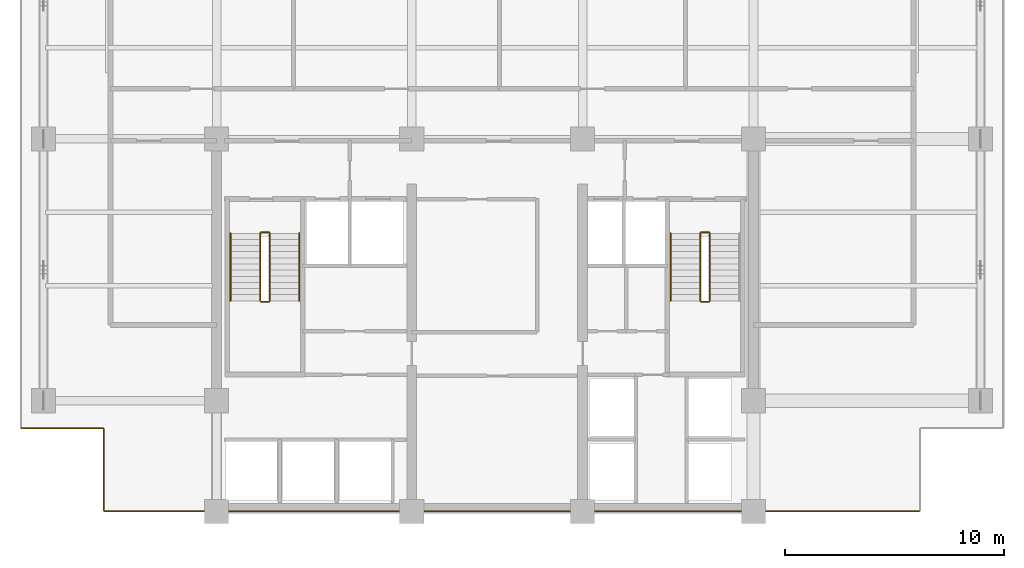
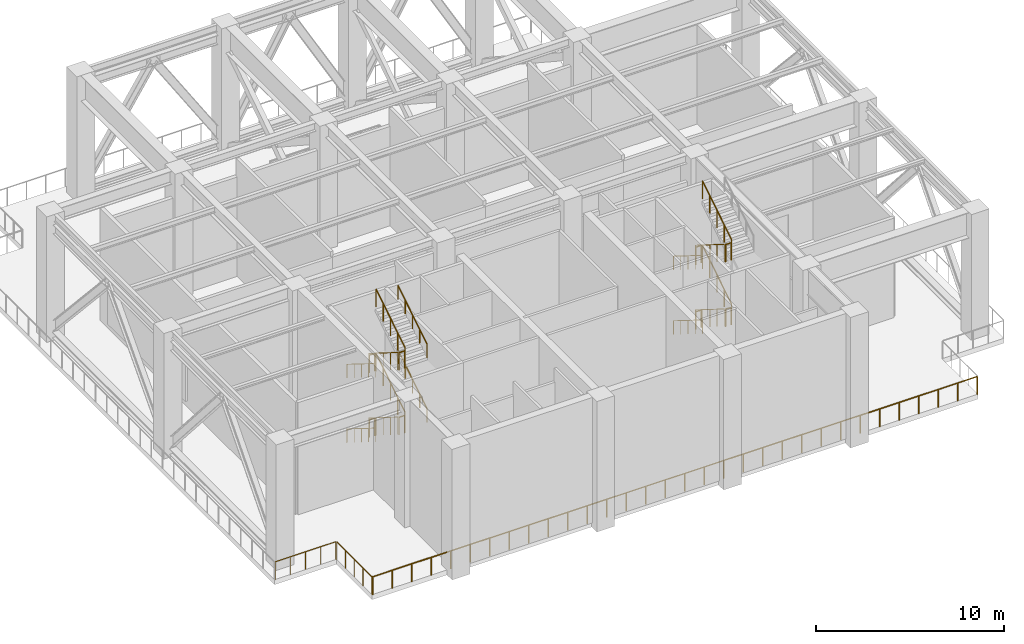
# One storey, part 6 of 7: 25 railings.
"""IFC4 building model written with IfcOpenShell, lengths in metres."""

from ifc_helpers import new_model, si_unit, direction, frame, origin, origin_2d, place, context, subcontext, project, spatial, circle, extrude, material, type_object, element, save


model = new_model("IFC4")

# Units and contexts
model_context = context("Model", 3, precision=1e-05, world=origin(), true_north=direction((0.0, 1.0)))
body_context = subcontext(model_context, "Body", "Model", "MODEL_VIEW")
ifc_project = project(units=[si_unit("LENGTHUNIT", "METRE"), si_unit("AREAUNIT", "SQUARE_METRE"), si_unit("VOLUMEUNIT", "CUBIC_METRE"), si_unit("PLANEANGLEUNIT", "RADIAN"), si_unit("MASSUNIT", "GRAM", prefix="KILO")], contexts=[model_context])

# Site, building, storey
site_placement = place(None, origin())
site = spatial("IfcSite", under=ifc_project, at=site_placement, CompositionType="ELEMENT")
building_placement = place(site_placement, origin())
building = spatial("IfcBuilding", under=site, at=building_placement, Name="Qalmaran Belvedere Hotel", CompositionType="ELEMENT")
storey_placement = place(building_placement, frame((0.0, 0.0, 184.10009765625)))
storey = spatial("IfcBuildingStorey", under=building, at=storey_placement, Name="L47", CompositionType="ELEMENT", Elevation=184.10009765625)

# Railings
ifc_material_1 = material(Name="Anodised Bronze Aluminium", Category="aluminium")
railing_type_1 = type_object("IfcRailingType", Name="GRD-PORTAL-1180", PredefinedType="BALUSTRADE", material=ifc_material_1)
railing_1_placement = place(storey_placement, frame((15.18505859375, 3.5, 0.0)))
element("IfcRailing", 1, at=railing_1_placement, inside=storey, type_object=railing_type_1, Name="L47 Guardrail L47-OUT-1", PredefinedType="BALUSTRADE", context=body_context, shape_type="SweptSolid", body=[
    extrude(circle(Radius=0.02392578125, at=origin_2d()), frame((0.0, 0.0, 1.15576171875), z_axis=(1.0, 0.0, 0.0), x_axis=(0.0, 1.0, 0.0)), (0.0, 0.0, 1.0), 37.179931640625),
    extrude(circle(Radius=0.02099609375, at=origin_2d()), origin(), (0.0, 0.0, 1.0), 1.1318359375),
    extrude(circle(Radius=0.02099609375, at=origin_2d()), frame((1.199462890625, 0.0, 0.0)), (0.0, 0.0, 1.0), 1.1318359375),
    extrude(circle(Radius=0.02099609375, at=origin_2d()), frame((2.398681640625, 0.0, 0.0)), (0.0, 0.0, 1.0), 1.1318359375),
    extrude(circle(Radius=0.02099609375, at=origin_2d()), frame((3.59814453125, 0.0, 0.0)), (0.0, 0.0, 1.0), 1.1318359375),
    extrude(circle(Radius=0.02099609375, at=origin_2d()), frame((4.79736328125, 0.0, 0.0)), (0.0, 0.0, 1.0), 1.1318359375),
    extrude(circle(Radius=0.02099609375, at=origin_2d()), frame((5.996826171875, 0.0, 0.0)), (0.0, 0.0, 1.0), 1.1318359375),
    extrude(circle(Radius=0.02099609375, at=origin_2d()), frame((7.196044921875, 0.0, 0.0)), (0.0, 0.0, 1.0), 1.1318359375),
    extrude(circle(Radius=0.02099609375, at=origin_2d()), frame((8.3955078125, 0.0, 0.0)), (0.0, 0.0, 1.0), 1.1318359375),
    extrude(circle(Radius=0.02099609375, at=origin_2d()), frame((9.5947265625, 0.0, 0.0)), (0.0, 0.0, 1.0), 1.1318359375),
    extrude(circle(Radius=0.02099609375, at=origin_2d()), frame((10.794189453125, 0.0, 0.0)), (0.0, 0.0, 1.0), 1.1318359375),
    extrude(circle(Radius=0.02099609375, at=origin_2d()), frame((11.993408203125, 0.0, 0.0)), (0.0, 0.0, 1.0), 1.1318359375),
    extrude(circle(Radius=0.02099609375, at=origin_2d()), frame((13.19287109375, 0.0, 0.0)), (0.0, 0.0, 1.0), 1.1318359375),
    extrude(circle(Radius=0.02099609375, at=origin_2d()), frame((14.392333984375, 0.0, 0.0)), (0.0, 0.0, 1.0), 1.1318359375),
    extrude(circle(Radius=0.02099609375, at=origin_2d()), frame((15.591552734375, 0.0, 0.0)), (0.0, 0.0, 1.0), 1.1318359375),
    extrude(circle(Radius=0.02099609375, at=origin_2d()), frame((16.791015625, 0.0, 0.0)), (0.0, 0.0, 1.0), 1.1318359375),
    extrude(circle(Radius=0.02099609375, at=origin_2d()), frame((17.990234375, 0.0, 0.0)), (0.0, 0.0, 1.0), 1.1318359375),
    extrude(circle(Radius=0.02099609375, at=origin_2d()), frame((19.189697265625, 0.0, 0.0)), (0.0, 0.0, 1.0), 1.1318359375),
    extrude(circle(Radius=0.02099609375, at=origin_2d()), frame((20.388916015625, 0.0, 0.0)), (0.0, 0.0, 1.0), 1.1318359375),
    extrude(circle(Radius=0.02099609375, at=origin_2d()), frame((21.58837890625, 0.0, 0.0)), (0.0, 0.0, 1.0), 1.1318359375),
    extrude(circle(Radius=0.02099609375, at=origin_2d()), frame((22.78759765625, 0.0, 0.0)), (0.0, 0.0, 1.0), 1.1318359375),
    extrude(circle(Radius=0.02099609375, at=origin_2d()), frame((23.987060546875, 0.0, 0.0)), (0.0, 0.0, 1.0), 1.1318359375),
    extrude(circle(Radius=0.02099609375, at=origin_2d()), frame((25.1865234375, 0.0, 0.0)), (0.0, 0.0, 1.0), 1.1318359375),
    extrude(circle(Radius=0.02099609375, at=origin_2d()), frame((26.3857421875, 0.0, 0.0)), (0.0, 0.0, 1.0), 1.1318359375),
    extrude(circle(Radius=0.02099609375, at=origin_2d()), frame((27.585205078125, 0.0, 0.0)), (0.0, 0.0, 1.0), 1.1318359375),
    extrude(circle(Radius=0.02099609375, at=origin_2d()), frame((28.784423828125, 0.0, 0.0)), (0.0, 0.0, 1.0), 1.1318359375),
    extrude(circle(Radius=0.02099609375, at=origin_2d()), frame((29.98388671875, 0.0, 0.0)), (0.0, 0.0, 1.0), 1.1318359375),
    extrude(circle(Radius=0.02099609375, at=origin_2d()), frame((31.18310546875, 0.0, 0.0)), (0.0, 0.0, 1.0), 1.1318359375),
    extrude(circle(Radius=0.02099609375, at=origin_2d()), frame((32.382568359375, 0.0, 0.0)), (0.0, 0.0, 1.0), 1.1318359375),
    extrude(circle(Radius=0.02099609375, at=origin_2d()), frame((33.581787109375, 0.0, 0.0)), (0.0, 0.0, 1.0), 1.1318359375),
    extrude(circle(Radius=0.02099609375, at=origin_2d()), frame((34.78125, 0.0, 0.0)), (0.0, 0.0, 1.0), 1.1318359375),
    extrude(circle(Radius=0.02099609375, at=origin_2d()), frame((35.98046875, 0.0, 0.0)), (0.0, 0.0, 1.0), 1.1318359375),
    extrude(circle(Radius=0.02099609375, at=origin_2d()), frame((37.179931640625, 0.0, 0.0)), (0.0, 0.0, 1.0), 1.1318359375),
])
railing_2_placement = place(storey_placement, frame((11.385009765625, 7.300048828125, 0.0)))
element("IfcRailing", 2, at=railing_2_placement, inside=storey, type_object=railing_type_1, Name="L47 Guardrail L47-OUT-11", PredefinedType="BALUSTRADE", context=body_context, shape_type="SweptSolid", body=[
    extrude(circle(Radius=0.02392578125, at=origin_2d()), frame((0.0, 0.0, 1.15576171875), z_axis=(1.0, 0.0, 0.0), x_axis=(0.0, 1.0, 0.0)), (0.0, 0.0, 1.0), 3.72998046875),
    extrude(circle(Radius=0.02099609375, at=origin_2d()), origin(), (0.0, 0.0, 1.0), 1.1318359375),
    extrude(circle(Radius=0.02099609375, at=origin_2d()), frame((0.9326171875, 0.0, 0.0)), (0.0, 0.0, 1.0), 1.1318359375),
    extrude(circle(Radius=0.02099609375, at=origin_2d()), frame((1.864990234375, 0.0, 0.0)), (0.0, 0.0, 1.0), 1.1318359375),
    extrude(circle(Radius=0.02099609375, at=origin_2d()), frame((2.79736328125, 0.0, 0.0)), (0.0, 0.0, 1.0), 1.1318359375),
    extrude(circle(Radius=0.02099609375, at=origin_2d()), frame((3.72998046875, 0.0, 0.0)), (0.0, 0.0, 1.0), 1.1318359375),
])
railing_3_placement = place(storey_placement, frame((15.14990234375, 7.264892578125, 0.0)))
element("IfcRailing", 3, at=railing_3_placement, inside=storey, type_object=railing_type_1, Name="L47 Guardrail L47-OUT-12", PredefinedType="BALUSTRADE", context=body_context, shape_type="SweptSolid", body=[
    extrude(circle(Radius=0.02392578125, at=origin_2d()), frame((0.0, 0.0, 1.15576171875), z_axis=(0.0, -1.0, 0.0), x_axis=(1.0, 0.0, 0.0)), (0.0, 0.0, 1.0), 3.72998046875),
    extrude(circle(Radius=0.02099609375, at=origin_2d()), origin(), (0.0, 0.0, 1.0), 1.1318359375),
    extrude(circle(Radius=0.02099609375, at=origin_2d()), frame((0.0, -0.9326171875, 0.0)), (0.0, 0.0, 1.0), 1.1318359375),
    extrude(circle(Radius=0.02099609375, at=origin_2d()), frame((0.0, -1.864990234375, 0.0)), (0.0, 0.0, 1.0), 1.1318359375),
    extrude(circle(Radius=0.02099609375, at=origin_2d()), frame((0.0, -2.79736328125, 0.0)), (0.0, 0.0, 1.0), 1.1318359375),
    extrude(circle(Radius=0.02099609375, at=origin_2d()), frame((0.0, -3.72998046875, 0.0)), (0.0, 0.0, 1.0), 1.1318359375),
])
ifc_material_2 = material(Name="Stainless Steel 1.4401", Category="steel")
railing_type_2 = type_object("IfcRailingType", Name="RLG-STAIR-GUARD-1150", PredefinedType="GUARDRAIL", material=ifc_material_2)
railing_4_placement = place(storey_placement, frame((22.280029296875, 16.18994140625, 0.1748046875)))
element("IfcRailing", 4, at=railing_4_placement, inside=storey, type_object=railing_type_2, Name="L47 ST-1 stair guard 1", PredefinedType="GUARDRAIL", context=body_context, shape_type="SweptSolid", body=[
    extrude(circle(Radius=0.02392578125, at=origin_2d()), frame((0.0, 0.0, 1.1259765625), z_axis=(0.0, -0.847979421464, 0.530029150871), x_axis=(1.0, 0.0, 0.0)), (0.0, 0.0, 1.0), 3.632080078125),
    extrude(circle(Radius=0.02099609375, at=origin_2d()), origin(), (0.0, 0.0, 1.0), 1.101806640625),
    extrude(circle(Radius=0.02099609375, at=origin_2d()), frame((0.0, -0.77001953125, 0.481201171875)), (0.0, 0.0, 1.0), 1.101806640625),
    extrude(circle(Radius=0.02099609375, at=origin_2d()), frame((0.0, -1.5400390625, 0.96240234375)), (0.0, 0.0, 1.0), 1.101806640625),
    extrude(circle(Radius=0.02099609375, at=origin_2d()), frame((0.0, -2.309814453125, 1.44384765625)), (0.0, 0.0, 1.0), 1.101806640625),
    extrude(circle(Radius=0.02099609375, at=origin_2d()), frame((0.0, -3.079833984375, 1.925048828125)), (0.0, 0.0, 1.0), 1.101806640625),
])
railing_5_placement = place(storey_placement, frame((22.330078125, 13.06005859375, 2.099853515625)))
element("IfcRailing", 5, at=railing_5_placement, inside=storey, type_object=railing_type_2, Name="L47 ST-1 stair guard 2", PredefinedType="GUARDRAIL", context=body_context, shape_type="SweptSolid", body=[
    extrude(circle(Radius=0.02392578125, at=origin_2d()), frame((0.0, 0.0, 1.1259765625), z_axis=(1.0, 0.0, 0.0), x_axis=(0.0, 1.0, 0.0)), (0.0, 0.0, 1.0), 0.33984375),
    extrude(circle(Radius=0.02099609375, at=origin_2d()), origin(), (0.0, 0.0, 1.0), 1.101806640625),
    extrude(circle(Radius=0.02099609375, at=origin_2d()), frame((0.33984375, 0.0, 0.0)), (0.0, 0.0, 1.0), 1.101806640625),
])
railing_6_placement = place(storey_placement, frame((22.719970703125, 13.110107421875, 2.27490234375)))
element("IfcRailing", 6, at=railing_6_placement, inside=storey, type_object=railing_type_2, Name="L47 ST-1 stair guard 3", PredefinedType="GUARDRAIL", context=body_context, shape_type="SweptSolid", body=[
    extrude(circle(Radius=0.02392578125, at=origin_2d()), frame((0.0, 0.0, 1.1259765625), z_axis=(0.0, 0.847979421464, 0.530029150871), x_axis=(-1.0, 0.0, 0.0)), (0.0, 0.0, 1.0), 3.632080078125),
    extrude(circle(Radius=0.02099609375, at=origin_2d()), origin(), (0.0, 0.0, 1.0), 1.101806640625),
    extrude(circle(Radius=0.02099609375, at=origin_2d()), frame((0.0, 0.77001953125, 0.481201171875)), (0.0, 0.0, 1.0), 1.101806640625),
    extrude(circle(Radius=0.02099609375, at=origin_2d()), frame((0.0, 1.5400390625, 0.96240234375)), (0.0, 0.0, 1.0), 1.101806640625),
    extrude(circle(Radius=0.02099609375, at=origin_2d()), frame((0.0, 2.309814453125, 1.44384765625)), (0.0, 0.0, 1.0), 1.101806640625),
    extrude(circle(Radius=0.02099609375, at=origin_2d()), frame((0.0, 3.079833984375, 1.925048828125)), (0.0, 0.0, 1.0), 1.101806640625),
])
railing_7_placement = place(storey_placement, frame((22.330078125, 16.239990234375, 4.199951171875)))
element("IfcRailing", 7, at=railing_7_placement, inside=storey, type_object=railing_type_2, Name="L47 ST-1 stair guard 4", PredefinedType="GUARDRAIL", context=body_context, shape_type="SweptSolid", body=[
    extrude(circle(Radius=0.02392578125, at=origin_2d()), frame((0.0, 0.0, 1.1259765625), z_axis=(1.0, 0.0, 0.0), x_axis=(0.0, 1.0, 0.0)), (0.0, 0.0, 1.0), 0.33984375),
    extrude(circle(Radius=0.02099609375, at=origin_2d()), origin(), (0.0, 0.0, 1.0), 1.101806640625),
    extrude(circle(Radius=0.02099609375, at=origin_2d()), frame((0.33984375, 0.0, 0.0)), (0.0, 0.0, 1.0), 1.101806640625),
])
railing_8_placement = place(storey_placement, frame((22.280029296875, 16.18994140625, 4.375)))
element("IfcRailing", 8, at=railing_8_placement, inside=storey, type_object=railing_type_2, Name="L47 ST-1 stair guard 5", PredefinedType="GUARDRAIL", context=body_context, shape_type="SweptSolid", body=[
    extrude(circle(Radius=0.02392578125, at=origin_2d()), frame((0.0, 0.0, 1.1259765625), z_axis=(0.0, -0.848009633417, 0.529980812513), x_axis=(1.0, 0.0, 0.0)), (0.0, 0.0, 1.0), 3.6318359375),
    extrude(circle(Radius=0.02099609375, at=origin_2d()), origin(), (0.0, 0.0, 1.0), 1.101806640625),
    extrude(circle(Radius=0.02099609375, at=origin_2d()), frame((0.0, -0.77001953125, 0.481201171875)), (0.0, 0.0, 1.0), 1.101806640625),
    extrude(circle(Radius=0.02099609375, at=origin_2d()), frame((0.0, -1.5400390625, 0.96240234375)), (0.0, 0.0, 1.0), 1.101806640625),
    extrude(circle(Radius=0.02099609375, at=origin_2d()), frame((0.0, -2.309814453125, 1.443603515625)), (0.0, 0.0, 1.0), 1.101806640625),
    extrude(circle(Radius=0.02099609375, at=origin_2d()), frame((0.0, -3.079833984375, 1.9248046875)), (0.0, 0.0, 1.0), 1.101806640625),
])
railing_9_placement = place(storey_placement, frame((22.330078125, 13.06005859375, 6.2998046875)))
element("IfcRailing", 9, at=railing_9_placement, inside=storey, type_object=railing_type_2, Name="L47 ST-1 stair guard 6", PredefinedType="GUARDRAIL", context=body_context, shape_type="SweptSolid", body=[
    extrude(circle(Radius=0.02392578125, at=origin_2d()), frame((0.0, 0.0, 1.1259765625), z_axis=(1.0, 0.0, 0.0), x_axis=(0.0, 1.0, 0.0)), (0.0, 0.0, 1.0), 0.33984375),
    extrude(circle(Radius=0.02099609375, at=origin_2d()), origin(), (0.0, 0.0, 1.0), 1.101806640625),
    extrude(circle(Radius=0.02099609375, at=origin_2d()), frame((0.33984375, 0.0, 0.0)), (0.0, 0.0, 1.0), 1.101806640625),
])
railing_10_placement = place(storey_placement, frame((22.719970703125, 13.110107421875, 6.474853515625)))
element("IfcRailing", 10, at=railing_10_placement, inside=storey, type_object=railing_type_2, Name="L47 ST-1 stair guard 7", PredefinedType="GUARDRAIL", context=body_context, shape_type="SweptSolid", body=[
    extrude(circle(Radius=0.02392578125, at=origin_2d()), frame((0.0, 0.0, 1.1259765625), z_axis=(0.0, 0.847979421464, 0.530029150871), x_axis=(-1.0, 0.0, 0.0)), (0.0, 0.0, 1.0), 3.632080078125),
    extrude(circle(Radius=0.02099609375, at=origin_2d()), origin(), (0.0, 0.0, 1.0), 1.101806640625),
    extrude(circle(Radius=0.02099609375, at=origin_2d()), frame((0.0, 0.77001953125, 0.481201171875)), (0.0, 0.0, 1.0), 1.101806640625),
    extrude(circle(Radius=0.02099609375, at=origin_2d()), frame((0.0, 1.5400390625, 0.96240234375)), (0.0, 0.0, 1.0), 1.101806640625),
    extrude(circle(Radius=0.02099609375, at=origin_2d()), frame((0.0, 2.309814453125, 1.44384765625)), (0.0, 0.0, 1.0), 1.101806640625),
    extrude(circle(Radius=0.02099609375, at=origin_2d()), frame((0.0, 3.079833984375, 1.925048828125)), (0.0, 0.0, 1.0), 1.101806640625),
])
railing_11_placement = place(storey_placement, frame((22.330078125, 16.239990234375, 0.0)))
element("IfcRailing", 11, at=railing_11_placement, inside=storey, type_object=railing_type_2, Name="L47 ST-1 stair guard 8", PredefinedType="GUARDRAIL", context=body_context, shape_type="SweptSolid", body=[
    extrude(circle(Radius=0.02392578125, at=origin_2d()), frame((0.0, 0.0, 1.1259765625), z_axis=(1.0, 0.0, 0.0), x_axis=(0.0, 1.0, 0.0)), (0.0, 0.0, 1.0), 0.33984375),
    extrude(circle(Radius=0.02099609375, at=origin_2d()), origin(), (0.0, 0.0, 1.0), 1.101806640625),
    extrude(circle(Radius=0.02099609375, at=origin_2d()), frame((0.33984375, 0.0, 0.0)), (0.0, 0.0, 1.0), 1.101806640625),
])
railing_12_placement = place(storey_placement, frame((42.360107421875, 16.18994140625, 0.1748046875)))
element("IfcRailing", 12, at=railing_12_placement, inside=storey, type_object=railing_type_2, Name="L47 ST-2 stair guard 1", PredefinedType="GUARDRAIL", context=body_context, shape_type="SweptSolid", body=[
    extrude(circle(Radius=0.02392578125, at=origin_2d()), frame((0.0, 0.0, 1.1259765625), z_axis=(0.0, -0.847979421464, 0.530029150871), x_axis=(1.0, 0.0, 0.0)), (0.0, 0.0, 1.0), 3.632080078125),
    extrude(circle(Radius=0.02099609375, at=origin_2d()), origin(), (0.0, 0.0, 1.0), 1.101806640625),
    extrude(circle(Radius=0.02099609375, at=origin_2d()), frame((0.0, -0.77001953125, 0.481201171875)), (0.0, 0.0, 1.0), 1.101806640625),
    extrude(circle(Radius=0.02099609375, at=origin_2d()), frame((0.0, -1.5400390625, 0.96240234375)), (0.0, 0.0, 1.0), 1.101806640625),
    extrude(circle(Radius=0.02099609375, at=origin_2d()), frame((0.0, -2.309814453125, 1.44384765625)), (0.0, 0.0, 1.0), 1.101806640625),
    extrude(circle(Radius=0.02099609375, at=origin_2d()), frame((0.0, -3.079833984375, 1.925048828125)), (0.0, 0.0, 1.0), 1.101806640625),
])
railing_13_placement = place(storey_placement, frame((42.409912109375, 13.06005859375, 2.099853515625)))
element("IfcRailing", 13, at=railing_13_placement, inside=storey, type_object=railing_type_2, Name="L47 ST-2 stair guard 2", PredefinedType="GUARDRAIL", context=body_context, shape_type="SweptSolid", body=[
    extrude(circle(Radius=0.02392578125, at=origin_2d()), frame((0.0, 0.0, 1.1259765625), z_axis=(1.0, 0.0, 0.0), x_axis=(0.0, 1.0, 0.0)), (0.0, 0.0, 1.0), 0.340087890625),
    extrude(circle(Radius=0.02099609375, at=origin_2d()), origin(), (0.0, 0.0, 1.0), 1.101806640625),
    extrude(circle(Radius=0.02099609375, at=origin_2d()), frame((0.340087890625, 0.0, 0.0)), (0.0, 0.0, 1.0), 1.101806640625),
])
railing_14_placement = place(storey_placement, frame((42.800048828125, 13.110107421875, 2.27490234375)))
element("IfcRailing", 14, at=railing_14_placement, inside=storey, type_object=railing_type_2, Name="L47 ST-2 stair guard 3", PredefinedType="GUARDRAIL", context=body_context, shape_type="SweptSolid", body=[
    extrude(circle(Radius=0.02392578125, at=origin_2d()), frame((0.0, 0.0, 1.1259765625), z_axis=(0.0, 0.847979421464, 0.530029150871), x_axis=(-1.0, 0.0, 0.0)), (0.0, 0.0, 1.0), 3.632080078125),
    extrude(circle(Radius=0.02099609375, at=origin_2d()), origin(), (0.0, 0.0, 1.0), 1.101806640625),
    extrude(circle(Radius=0.02099609375, at=origin_2d()), frame((0.0, 0.77001953125, 0.481201171875)), (0.0, 0.0, 1.0), 1.101806640625),
    extrude(circle(Radius=0.02099609375, at=origin_2d()), frame((0.0, 1.5400390625, 0.96240234375)), (0.0, 0.0, 1.0), 1.101806640625),
    extrude(circle(Radius=0.02099609375, at=origin_2d()), frame((0.0, 2.309814453125, 1.44384765625)), (0.0, 0.0, 1.0), 1.101806640625),
    extrude(circle(Radius=0.02099609375, at=origin_2d()), frame((0.0, 3.079833984375, 1.925048828125)), (0.0, 0.0, 1.0), 1.101806640625),
])
railing_15_placement = place(storey_placement, frame((42.409912109375, 16.239990234375, 4.199951171875)))
element("IfcRailing", 15, at=railing_15_placement, inside=storey, type_object=railing_type_2, Name="L47 ST-2 stair guard 4", PredefinedType="GUARDRAIL", context=body_context, shape_type="SweptSolid", body=[
    extrude(circle(Radius=0.02392578125, at=origin_2d()), frame((0.0, 0.0, 1.1259765625), z_axis=(1.0, 0.0, 0.0), x_axis=(0.0, 1.0, 0.0)), (0.0, 0.0, 1.0), 0.340087890625),
    extrude(circle(Radius=0.02099609375, at=origin_2d()), origin(), (0.0, 0.0, 1.0), 1.101806640625),
    extrude(circle(Radius=0.02099609375, at=origin_2d()), frame((0.340087890625, 0.0, 0.0)), (0.0, 0.0, 1.0), 1.101806640625),
])
railing_16_placement = place(storey_placement, frame((42.360107421875, 16.18994140625, 4.375)))
element("IfcRailing", 16, at=railing_16_placement, inside=storey, type_object=railing_type_2, Name="L47 ST-2 stair guard 5", PredefinedType="GUARDRAIL", context=body_context, shape_type="SweptSolid", body=[
    extrude(circle(Radius=0.02392578125, at=origin_2d()), frame((0.0, 0.0, 1.1259765625), z_axis=(0.0, -0.848009633417, 0.529980812513), x_axis=(1.0, 0.0, 0.0)), (0.0, 0.0, 1.0), 3.6318359375),
    extrude(circle(Radius=0.02099609375, at=origin_2d()), origin(), (0.0, 0.0, 1.0), 1.101806640625),
    extrude(circle(Radius=0.02099609375, at=origin_2d()), frame((0.0, -0.77001953125, 0.481201171875)), (0.0, 0.0, 1.0), 1.101806640625),
    extrude(circle(Radius=0.02099609375, at=origin_2d()), frame((0.0, -1.5400390625, 0.96240234375)), (0.0, 0.0, 1.0), 1.101806640625),
    extrude(circle(Radius=0.02099609375, at=origin_2d()), frame((0.0, -2.309814453125, 1.443603515625)), (0.0, 0.0, 1.0), 1.101806640625),
    extrude(circle(Radius=0.02099609375, at=origin_2d()), frame((0.0, -3.079833984375, 1.9248046875)), (0.0, 0.0, 1.0), 1.101806640625),
])
railing_17_placement = place(storey_placement, frame((42.409912109375, 13.06005859375, 6.2998046875)))
element("IfcRailing", 17, at=railing_17_placement, inside=storey, type_object=railing_type_2, Name="L47 ST-2 stair guard 6", PredefinedType="GUARDRAIL", context=body_context, shape_type="SweptSolid", body=[
    extrude(circle(Radius=0.02392578125, at=origin_2d()), frame((0.0, 0.0, 1.1259765625), z_axis=(1.0, 0.0, 0.0), x_axis=(0.0, 1.0, 0.0)), (0.0, 0.0, 1.0), 0.340087890625),
    extrude(circle(Radius=0.02099609375, at=origin_2d()), origin(), (0.0, 0.0, 1.0), 1.101806640625),
    extrude(circle(Radius=0.02099609375, at=origin_2d()), frame((0.340087890625, 0.0, 0.0)), (0.0, 0.0, 1.0), 1.101806640625),
])
railing_18_placement = place(storey_placement, frame((42.800048828125, 13.110107421875, 6.474853515625)))
element("IfcRailing", 18, at=railing_18_placement, inside=storey, type_object=railing_type_2, Name="L47 ST-2 stair guard 7", PredefinedType="GUARDRAIL", context=body_context, shape_type="SweptSolid", body=[
    extrude(circle(Radius=0.02392578125, at=origin_2d()), frame((0.0, 0.0, 1.1259765625), z_axis=(0.0, 0.847979421464, 0.530029150871), x_axis=(-1.0, 0.0, 0.0)), (0.0, 0.0, 1.0), 3.632080078125),
    extrude(circle(Radius=0.02099609375, at=origin_2d()), origin(), (0.0, 0.0, 1.0), 1.101806640625),
    extrude(circle(Radius=0.02099609375, at=origin_2d()), frame((0.0, 0.77001953125, 0.481201171875)), (0.0, 0.0, 1.0), 1.101806640625),
    extrude(circle(Radius=0.02099609375, at=origin_2d()), frame((0.0, 1.5400390625, 0.96240234375)), (0.0, 0.0, 1.0), 1.101806640625),
    extrude(circle(Radius=0.02099609375, at=origin_2d()), frame((0.0, 2.309814453125, 1.44384765625)), (0.0, 0.0, 1.0), 1.101806640625),
    extrude(circle(Radius=0.02099609375, at=origin_2d()), frame((0.0, 3.079833984375, 1.925048828125)), (0.0, 0.0, 1.0), 1.101806640625),
])
railing_19_placement = place(storey_placement, frame((42.409912109375, 16.239990234375, 0.0)))
element("IfcRailing", 19, at=railing_19_placement, inside=storey, type_object=railing_type_2, Name="L47 ST-2 stair guard 8", PredefinedType="GUARDRAIL", context=body_context, shape_type="SweptSolid", body=[
    extrude(circle(Radius=0.02392578125, at=origin_2d()), frame((0.0, 0.0, 1.1259765625), z_axis=(1.0, 0.0, 0.0), x_axis=(0.0, 1.0, 0.0)), (0.0, 0.0, 1.0), 0.340087890625),
    extrude(circle(Radius=0.02099609375, at=origin_2d()), origin(), (0.0, 0.0, 1.0), 1.101806640625),
    extrude(circle(Radius=0.02099609375, at=origin_2d()), frame((0.340087890625, 0.0, 0.0)), (0.0, 0.0, 1.0), 1.101806640625),
])
railing_type_3 = type_object("IfcRailingType", Name="RLG-STAIR-HAND-910", PredefinedType="HANDRAIL", material=ifc_material_2)
railing_20_placement = place(storey_placement, frame((20.929931640625, 16.18994140625, 0.1748046875)))
element("IfcRailing", 20, at=railing_20_placement, inside=storey, type_object=railing_type_3, Name="L47 ST-1 stair handrail 1", PredefinedType="HANDRAIL", context=body_context, shape_type="SweptSolid", body=[
    extrude(circle(Radius=0.02392578125, at=origin_2d()), frame((0.0, 0.0, 0.8857421875), z_axis=(0.0, -0.847979421464, 0.530029150871), x_axis=(1.0, 0.0, 0.0)), (0.0, 0.0, 1.0), 3.632080078125),
    extrude(circle(Radius=0.02099609375, at=origin_2d()), origin(), (0.0, 0.0, 1.0), 0.86181640625),
    extrude(circle(Radius=0.02099609375, at=origin_2d()), frame((0.0, -0.77001953125, 0.481201171875)), (0.0, 0.0, 1.0), 0.86181640625),
    extrude(circle(Radius=0.02099609375, at=origin_2d()), frame((0.0, -1.5400390625, 0.96240234375)), (0.0, 0.0, 1.0), 0.86181640625),
    extrude(circle(Radius=0.02099609375, at=origin_2d()), frame((0.0, -2.309814453125, 1.44384765625)), (0.0, 0.0, 1.0), 0.86181640625),
    extrude(circle(Radius=0.02099609375, at=origin_2d()), frame((0.0, -3.079833984375, 1.925048828125)), (0.0, 0.0, 1.0), 0.86181640625),
])
railing_21_placement = place(storey_placement, frame((24.070068359375, 13.110107421875, 2.27490234375)))
element("IfcRailing", 21, at=railing_21_placement, inside=storey, type_object=railing_type_3, Name="L47 ST-1 stair handrail 2", PredefinedType="HANDRAIL", context=body_context, shape_type="SweptSolid", body=[
    extrude(circle(Radius=0.02392578125, at=origin_2d()), frame((0.0, 0.0, 0.8857421875), z_axis=(0.0, 0.847979421464, 0.530029150871), x_axis=(-1.0, 0.0, 0.0)), (0.0, 0.0, 1.0), 3.632080078125),
    extrude(circle(Radius=0.02099609375, at=origin_2d()), origin(), (0.0, 0.0, 1.0), 0.86181640625),
    extrude(circle(Radius=0.02099609375, at=origin_2d()), frame((0.0, 0.77001953125, 0.481201171875)), (0.0, 0.0, 1.0), 0.86181640625),
    extrude(circle(Radius=0.02099609375, at=origin_2d()), frame((0.0, 1.5400390625, 0.96240234375)), (0.0, 0.0, 1.0), 0.86181640625),
    extrude(circle(Radius=0.02099609375, at=origin_2d()), frame((0.0, 2.309814453125, 1.44384765625)), (0.0, 0.0, 1.0), 0.86181640625),
    extrude(circle(Radius=0.02099609375, at=origin_2d()), frame((0.0, 3.079833984375, 1.925048828125)), (0.0, 0.0, 1.0), 0.86181640625),
])
railing_22_placement = place(storey_placement, frame((20.929931640625, 16.18994140625, 4.375)))
element("IfcRailing", 22, at=railing_22_placement, inside=storey, type_object=railing_type_3, Name="L47 ST-1 stair handrail 3", PredefinedType="HANDRAIL", context=body_context, shape_type="SweptSolid", body=[
    extrude(circle(Radius=0.02392578125, at=origin_2d()), frame((0.0, 0.0, 0.8857421875), z_axis=(0.0, -0.848009633417, 0.529980812513), x_axis=(1.0, 0.0, 0.0)), (0.0, 0.0, 1.0), 3.6318359375),
    extrude(circle(Radius=0.02099609375, at=origin_2d()), origin(), (0.0, 0.0, 1.0), 0.86181640625),
    extrude(circle(Radius=0.02099609375, at=origin_2d()), frame((0.0, -0.77001953125, 0.481201171875)), (0.0, 0.0, 1.0), 0.86181640625),
    extrude(circle(Radius=0.02099609375, at=origin_2d()), frame((0.0, -1.5400390625, 0.96240234375)), (0.0, 0.0, 1.0), 0.86181640625),
    extrude(circle(Radius=0.02099609375, at=origin_2d()), frame((0.0, -2.309814453125, 1.443603515625)), (0.0, 0.0, 1.0), 0.86181640625),
    extrude(circle(Radius=0.02099609375, at=origin_2d()), frame((0.0, -3.079833984375, 1.9248046875)), (0.0, 0.0, 1.0), 0.86181640625),
])
railing_23_placement = place(storey_placement, frame((24.070068359375, 13.110107421875, 6.474853515625)))
element("IfcRailing", 23, at=railing_23_placement, inside=storey, type_object=railing_type_3, Name="L47 ST-1 stair handrail 4", PredefinedType="HANDRAIL", context=body_context, shape_type="SweptSolid", body=[
    extrude(circle(Radius=0.02392578125, at=origin_2d()), frame((0.0, 0.0, 0.8857421875), z_axis=(0.0, 0.847979421464, 0.530029150871), x_axis=(-1.0, 0.0, 0.0)), (0.0, 0.0, 1.0), 3.632080078125),
    extrude(circle(Radius=0.02099609375, at=origin_2d()), origin(), (0.0, 0.0, 1.0), 0.86181640625),
    extrude(circle(Radius=0.02099609375, at=origin_2d()), frame((0.0, 0.77001953125, 0.481201171875)), (0.0, 0.0, 1.0), 0.86181640625),
    extrude(circle(Radius=0.02099609375, at=origin_2d()), frame((0.0, 1.5400390625, 0.96240234375)), (0.0, 0.0, 1.0), 0.86181640625),
    extrude(circle(Radius=0.02099609375, at=origin_2d()), frame((0.0, 2.309814453125, 1.44384765625)), (0.0, 0.0, 1.0), 0.86181640625),
    extrude(circle(Radius=0.02099609375, at=origin_2d()), frame((0.0, 3.079833984375, 1.925048828125)), (0.0, 0.0, 1.0), 0.86181640625),
])
railing_24_placement = place(storey_placement, frame((41.010009765625, 16.18994140625, 0.1748046875)))
element("IfcRailing", 24, at=railing_24_placement, inside=storey, type_object=railing_type_3, Name="L47 ST-2 stair handrail 1", PredefinedType="HANDRAIL", context=body_context, shape_type="SweptSolid", body=[
    extrude(circle(Radius=0.02392578125, at=origin_2d()), frame((0.0, 0.0, 0.8857421875), z_axis=(0.0, -0.847979421464, 0.530029150871), x_axis=(1.0, 0.0, 0.0)), (0.0, 0.0, 1.0), 3.632080078125),
    extrude(circle(Radius=0.02099609375, at=origin_2d()), origin(), (0.0, 0.0, 1.0), 0.86181640625),
    extrude(circle(Radius=0.02099609375, at=origin_2d()), frame((0.0, -0.77001953125, 0.481201171875)), (0.0, 0.0, 1.0), 0.86181640625),
    extrude(circle(Radius=0.02099609375, at=origin_2d()), frame((0.0, -1.5400390625, 0.96240234375)), (0.0, 0.0, 1.0), 0.86181640625),
    extrude(circle(Radius=0.02099609375, at=origin_2d()), frame((0.0, -2.309814453125, 1.44384765625)), (0.0, 0.0, 1.0), 0.86181640625),
    extrude(circle(Radius=0.02099609375, at=origin_2d()), frame((0.0, -3.079833984375, 1.925048828125)), (0.0, 0.0, 1.0), 0.86181640625),
])
railing_25_placement = place(storey_placement, frame((41.010009765625, 16.18994140625, 4.375)))
element("IfcRailing", 25, at=railing_25_placement, inside=storey, type_object=railing_type_3, Name="L47 ST-2 stair handrail 3", PredefinedType="HANDRAIL", context=body_context, shape_type="SweptSolid", body=[
    extrude(circle(Radius=0.02392578125, at=origin_2d()), frame((0.0, 0.0, 0.8857421875), z_axis=(0.0, -0.848009633417, 0.529980812513), x_axis=(1.0, 0.0, 0.0)), (0.0, 0.0, 1.0), 3.6318359375),
    extrude(circle(Radius=0.02099609375, at=origin_2d()), origin(), (0.0, 0.0, 1.0), 0.86181640625),
    extrude(circle(Radius=0.02099609375, at=origin_2d()), frame((0.0, -0.77001953125, 0.481201171875)), (0.0, 0.0, 1.0), 0.86181640625),
    extrude(circle(Radius=0.02099609375, at=origin_2d()), frame((0.0, -1.5400390625, 0.96240234375)), (0.0, 0.0, 1.0), 0.86181640625),
    extrude(circle(Radius=0.02099609375, at=origin_2d()), frame((0.0, -2.309814453125, 1.443603515625)), (0.0, 0.0, 1.0), 0.86181640625),
    extrude(circle(Radius=0.02099609375, at=origin_2d()), frame((0.0, -3.079833984375, 1.9248046875)), (0.0, 0.0, 1.0), 0.86181640625),
])

save(model, "model.ifc")
